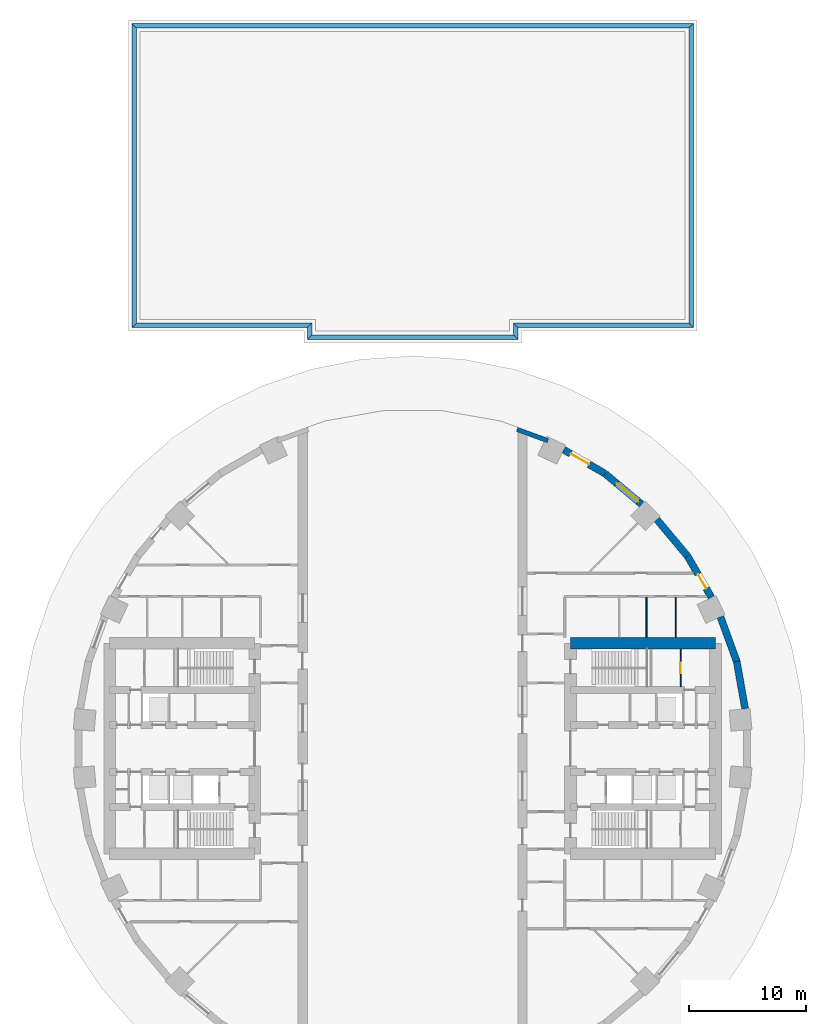
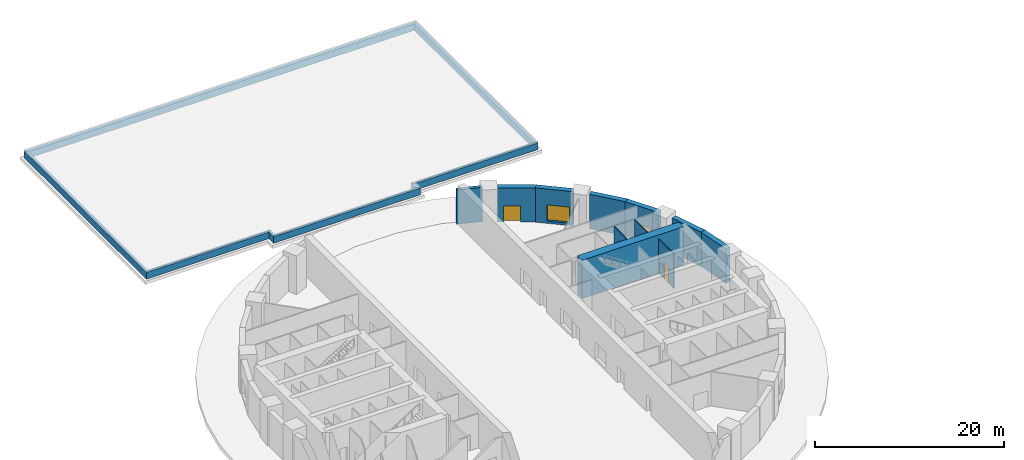
# One storey, part 7 of 10: 19 walls, 3 doors, 1 window, 4 openings.
"""IFC4 building model written with IfcOpenShell, lengths in metres."""

from ifc_helpers import new_model, si_unit, direction, frame, frame_2d, origin, place, context, subcontext, project, spatial, polyline, rectangle, outline, extrude, material, layer, layer_set, type_object, element, fill, save


model = new_model("IFC4")

# Units and contexts
model_context = context("Model", 3, precision=1e-05, world=origin(), true_north=direction((0.0, 1.0)))
body_context = subcontext(model_context, "Body", "Model", "MODEL_VIEW")
ifc_project = project(units=[si_unit("LENGTHUNIT", "METRE"), si_unit("AREAUNIT", "SQUARE_METRE"), si_unit("VOLUMEUNIT", "CUBIC_METRE"), si_unit("PLANEANGLEUNIT", "RADIAN"), si_unit("MASSUNIT", "GRAM", prefix="KILO")], contexts=[model_context])

# Site, building, storey
site_placement = place(None, origin())
site = spatial("IfcSite", under=ifc_project, at=site_placement, CompositionType="ELEMENT")
building_placement = place(site_placement, origin())
building = spatial("IfcBuilding", under=site, at=building_placement, Name="Saqina Gate Tower", CompositionType="ELEMENT")
storey_placement = place(building_placement, origin())
storey = spatial("IfcBuildingStorey", under=building, at=storey_placement, Name="L00", CompositionType="ELEMENT", Elevation=0.0)

# Wall, opening, door
ifc_material_1 = material(Name="Gypsum board on steel studs", Category="steel")
ifc_layer_1 = layer(ifc_material_1, 0.10009765625)
ifc_layer_set_1 = layer_set([ifc_layer_1], Name="CORE PARTITION")
wall_type_1 = type_object("IfcWallType", Name="CORE PARTITION", PredefinedType="PARTITIONING", material=ifc_layer_set_1)
wall_1_placement = place(storey_placement, frame((22.919921875, 5.300048828125, 0.0), z_axis=(0.0, 0.0, 1.0), x_axis=(0.0, 1.0, 0.0)))
wall_1 = element("IfcWall", 1, at=wall_1_placement, inside=storey, type_object=wall_type_1, Name="L00-CP-E12", PredefinedType="PARTITIONING", context=body_context, shape_type="SweptSolid", body=[
    extrude(rectangle(XDim=3.199951171875, YDim=0.10009765625, at=frame_2d((1.60009765625, 0.0))), origin(), (0.0, 0.0, 1.0), 4.449951171875),
])
opening_1_placement = place(wall_1_placement, frame((1.14990234375, 0.0, 0.0)))
opening_1 = element("IfcOpeningElement", 2, at=opening_1_placement, cuts=wall_1, Name="Opening L00-D97", PredefinedType="OPENING", context=body_context, shape_type="SweptSolid", body=[
    extrude(rectangle(XDim=0.89990234375, YDim=2.10009765625, at=frame_2d((0.449951171875, 1.050048828125))), frame((0.0, 0.06201171875, 0.0), z_axis=(0.0, -1.0, 0.0), x_axis=(1.0, 0.0, 0.0)), (0.0, 0.0, 1.0), 0.1240234375),
])
ifc_material_2 = material(Name="Steel-framed fire door leaf, EI 60", Category="steel")
door_type_1 = type_object("IfcDoorType", Name="SERVICE ROOM DOOR 900", OperationType="SINGLE_SWING_LEFT", PredefinedType="DOOR", material=ifc_material_2)
door_1_placement = place(opening_1_placement, origin())
door_1 = element("IfcDoor", 3, at=door_1_placement, inside=storey, type_object=door_type_1, Name="L00-CD-E08", OperationType="SINGLE_SWING_LEFT", OverallHeight=2.10009765625, OverallWidth=0.89990234375, PredefinedType="DOOR", context=body_context, shape_type="SweptSolid", body=[
    extrude(rectangle(XDim=0.89990234375, YDim=2.10009765625, at=frame_2d((0.449951171875, 1.050048828125))), frame((0.0, 0.02490234375, 0.0), z_axis=(0.0, -1.0, 0.0), x_axis=(1.0, 0.0, 0.0)), (0.0, 0.0, 1.0), 0.050048828125),
])
fill(opening_1, door_1)

# Wall
ifc_material_3 = material(Name="Glazed ceramic tile", Category="ceramic")
ifc_layer_2 = layer(ifc_material_3, 0.3798828125)
ifc_layer_set_2 = layer_set([ifc_layer_2], Name="FW-ARCH")
wall_type_2 = type_object("IfcWallType", Name="FW-ARCH", PredefinedType="SOLIDWALL", material=ifc_layer_set_2)
wall_2_placement = place(storey_placement, frame((11.640625, 26.5068359375, 0.0), z_axis=(0.342028363555, 0.939687527149, 0.001987421433), x_axis=(-0.00066157174, -0.001874177487, 0.999998024889)))
element("IfcWall", 4, at=wall_2_placement, inside=storey, type_object=wall_type_2, Name="Arch frame wall L00 facet 7", PredefinedType="SOLIDWALL", context=body_context, shape_type="SweptSolid", body=[
    extrude(outline(polyline([(0.0, 0.0), (4.449959878062576, -5.421010862427522e-19), (4.449905577463616, -2.8103487256011928), (-5.446211549906747e-05, -2.8101193092447616), (0.0, 0.0)])), origin(), (0.0, 0.0, -1.0), 0.3798828125),
])

# Wall, opening, door
ifc_material_4 = material(Name="Brick masonry (red)", Category="masonry")
ifc_layer_3 = layer(ifc_material_4, 0.60009765625)
ifc_layer_set_3 = layer_set([ifc_layer_3], Name="FW-BRICK-RED")
wall_type_3 = type_object("IfcWallType", Name="FW-BRICK-RED", PredefinedType="SOLIDWALL", material=ifc_layer_set_3)
wall_3_placement = place(storey_placement, frame((25.545166015625, 12.933837890625, 0.0), z_axis=(0.0, 0.0, 1.0), x_axis=(-0.500023678693, 0.866011732453, 0.0)))
wall_3 = element("IfcWall", 5, at=wall_3_placement, inside=storey, type_object=wall_type_3, Name="Facade wall L00 facet 3", PredefinedType="SOLIDWALL", context=body_context, shape_type="SweptSolid", body=[
    extrude(rectangle(XDim=4.069091796875, YDim=0.60009765625, at=frame_2d((2.03466796875, 0.0))), origin(), (0.0, 0.0, 1.0), 4.449951171875),
])
opening_2_placement = place(wall_3_placement, frame((0.87158203125, 0.0, 0.0)))
opening_2 = element("IfcOpeningElement", 6, at=opening_2_placement, cuts=wall_3, Name="Opening L00-D40", PredefinedType="OPENING", context=body_context, shape_type="SweptSolid", body=[
    extrude(rectangle(XDim=1.39990234375, YDim=2.10009765625, at=frame_2d((0.699951171875, 1.050048828125))), frame((0.0, 0.31201171875, 0.0), z_axis=(0.0, -1.0, 0.0), x_axis=(1.0, 0.0, 0.0)), (0.0, 0.0, 1.0), 0.6240234375),
])
ifc_material_5 = material(Name="Steel door leaf with glazed vision panel", Category="steel")
door_type_2 = type_object("IfcDoorType", Name="EXIT DOOR 1400 STEEL", OperationType="SINGLE_SWING_LEFT", PredefinedType="DOOR", material=ifc_material_5)
door_2_placement = place(opening_2_placement, frame((1.39990234375, 0.0, 0.0), z_axis=(0.0, 0.0, 1.0), x_axis=(-1.0, 0.0, 0.0)))
door_2 = element("IfcDoor", 7, at=door_2_placement, inside=storey, type_object=door_type_2, Name="Pedestrian exit 7", OperationType="SINGLE_SWING_RIGHT", OverallHeight=2.10009765625, OverallWidth=1.39990234375, PredefinedType="DOOR", context=body_context, shape_type="SweptSolid", body=[
    extrude(rectangle(XDim=1.39990234375, YDim=2.10009765625, at=frame_2d((0.699951171875, 1.050048828125))), frame((0.0, 0.02490234375, 0.0), z_axis=(0.0, -1.0, 0.0), x_axis=(1.0, 0.0, 0.0)), (0.0, 0.0, 1.0), 0.050048828125),
])
fill(opening_2, door_2)

# Wall
wall_4_placement = place(storey_placement, frame((23.50634765625, 16.4638671875, 0.0), z_axis=(0.0, 0.0, 1.0), x_axis=(-0.642800844336, 0.766033337734, 0.0)))
element("IfcWall", 8, at=wall_4_placement, inside=storey, type_object=wall_type_3, Name="Facade wall L00 facet 4", PredefinedType="SOLIDWALL", context=body_context, shape_type="SweptSolid", body=[
    extrude(rectangle(XDim=4.0693359375, YDim=0.60009765625, at=frame_2d((2.03466796875, 0.0))), origin(), (0.0, 0.0, 1.0), 4.449951171875),
])

# Wall, opening, window
wall_5_placement = place(storey_placement, frame((19.5810546875, 20.890625, 0.0), z_axis=(0.0, 0.0, 1.0), x_axis=(-0.766033337734, 0.642800844336, 0.0)))
wall_5 = element("IfcWall", 9, at=wall_5_placement, inside=storey, type_object=wall_type_3, Name="Facade wall L00 facet 5", PredefinedType="SOLIDWALL", context=body_context, shape_type="SweptSolid", body=[
    extrude(rectangle(XDim=4.0693359375, YDim=0.60009765625, at=frame_2d((2.03466796875, 0.0))), origin(), (0.0, 0.0, 1.0), 4.449951171875),
])
opening_3_placement = place(wall_5_placement, frame((0.37158203125, 0.0, 0.300048828125)))
opening_3 = element("IfcOpeningElement", 10, at=opening_3_placement, cuts=wall_5, Name="Opening L00-W56", PredefinedType="OPENING", context=body_context, shape_type="SweptSolid", body=[
    extrude(rectangle(XDim=2.39990234375, YDim=2.10009765625, at=frame_2d((1.199951171875, 1.050048828125))), frame((0.0, 0.31201171875, 0.0), z_axis=(0.0, -1.0, 0.0), x_axis=(1.0, 0.0, 0.0)), (0.0, 0.0, 1.0), 0.6240234375),
])
ifc_material_6 = material(Name="Double glazed unit in aluminium frame", Category="aluminium")
window_type = type_object("IfcWindowType", Name="SHOPFRONT WINDOW 2400", PartitioningType="SINGLE_PANEL", PredefinedType="WINDOW", material=ifc_material_6)
window_placement = place(opening_3_placement, origin())
window = element("IfcWindow", 11, at=window_placement, inside=storey, type_object=window_type, Name="Shopfront window", OverallHeight=2.10009765625, OverallWidth=2.39990234375, PartitioningType="SINGLE_PANEL", PredefinedType="WINDOW", context=body_context, shape_type="SweptSolid", body=[
    extrude(rectangle(XDim=2.39990234375, YDim=2.10009765625, at=frame_2d((1.199951171875, 1.050048828125))), frame((0.0, 0.030029296875, 0.0), z_axis=(0.0, -1.0, 0.0), x_axis=(1.0, 0.0, 0.0)), (0.0, 0.0, 1.0), 0.06005859375),
])
fill(opening_3, window)

# Wall, opening, door
wall_6_placement = place(storey_placement, frame((16.457763671875, 23.510498046875, 0.0), z_axis=(0.0, 0.0, 1.0), x_axis=(-0.866011732453, 0.500023678693, 0.0)))
wall_6 = element("IfcWall", 12, at=wall_6_placement, inside=storey, type_object=wall_type_3, Name="Facade wall L00 facet 6", PredefinedType="SOLIDWALL", context=body_context, shape_type="SweptSolid", body=[
    extrude(rectangle(XDim=4.069091796875, YDim=0.60009765625, at=frame_2d((2.03466796875, 0.0))), origin(), (0.0, 0.0, 1.0), 4.449951171875),
])
opening_4_placement = place(wall_6_placement, frame((1.597412109375, 0.0, 0.0)))
opening_4 = element("IfcOpeningElement", 13, at=opening_4_placement, cuts=wall_6, Name="Opening L00-D46", PredefinedType="OPENING", context=body_context, shape_type="SweptSolid", body=[
    extrude(rectangle(XDim=1.800048828125, YDim=2.10009765625, at=frame_2d((0.89990234375, 1.050048828125))), frame((0.0, 0.31201171875, 0.0), z_axis=(0.0, -1.0, 0.0), x_axis=(1.0, 0.0, 0.0)), (0.0, 0.0, 1.0), 0.6240234375),
])
ifc_material_7 = material(Name="Aluminium-framed glazed door leaf", Category="aluminium")
door_type_3 = type_object("IfcDoorType", Name="ENTRANCE DOOR 1800 GLAZED", OperationType="DOUBLE_DOOR_SINGLE_SWING", PredefinedType="DOOR", material=ifc_material_7)
door_3_placement = place(opening_4_placement, frame((1.800048828125, 0.0, 0.0), z_axis=(0.0, 0.0, 1.0), x_axis=(-1.0, 0.0, 0.0)))
door_3 = element("IfcDoor", 14, at=door_3_placement, inside=storey, type_object=door_type_3, Name="Shopfront entrance", OperationType="DOUBLE_DOOR_SINGLE_SWING", OverallHeight=2.10009765625, OverallWidth=1.800048828125, PredefinedType="DOOR", context=body_context, shape_type="SweptSolid", body=[
    extrude(rectangle(XDim=1.800048828125, YDim=2.10009765625, at=frame_2d((0.89990234375, 1.050048828125))), frame((0.0, 0.02490234375, 0.0), z_axis=(0.0, -1.0, 0.0), x_axis=(1.0, 0.0, 0.0)), (0.0, 0.0, 1.0), 0.050048828125),
])
fill(opening_4, door_3)

# Walls
ifc_material_8 = material(Name="Glazed ceramic tile", Category="ceramic")
ifc_layer_4 = layer(ifc_material_8, 0.60009765625)
ifc_layer_set_4 = layer_set([ifc_layer_4], Name="FW-TILE")
wall_type_4 = type_object("IfcWallType", Name="FW-TILE", PredefinedType="SOLIDWALL", material=ifc_layer_set_4)
wall_7_placement = place(storey_placement, frame((28.42822265625, 3.416748046875, 0.0), z_axis=(0.0, 0.0, 1.0), x_axis=(-0.173673210505, 0.984803338719, 0.0)))
element("IfcWall", 15, at=wall_7_placement, inside=storey, type_object=wall_type_4, Name="Facade wall L00 facet 1", PredefinedType="SOLIDWALL", context=body_context, shape_type="SweptSolid", body=[
    extrude(rectangle(XDim=4.09912109375, YDim=0.60009765625, at=frame_2d((2.049560546875, 0.0))), origin(), (0.0, 0.0, 1.0), 4.449951171875),
])
ifc_material_9 = material(Name="Glazed ceramic tile (dark blue)", Category="ceramic")
ifc_layer_5 = layer(ifc_material_9, 0.60009765625)
ifc_layer_set_5 = layer_set([ifc_layer_5], Name="FW-TILE-CB")
wall_type_5 = type_object("IfcWallType", Name="FW-TILE-CB", PredefinedType="SOLIDWALL", material=ifc_layer_set_5)
wall_8_placement = place(storey_placement, frame((27.72998046875, 7.403076171875, 0.0), z_axis=(0.0, 0.0, 1.0), x_axis=(-0.342034744565, 0.939687306241, 0.0)))
element("IfcWall", 16, at=wall_8_placement, inside=storey, type_object=wall_type_5, Name="Facade wall L00 facet 2", PredefinedType="SOLIDWALL", context=body_context, shape_type="SweptSolid", body=[
    extrude(rectangle(XDim=4.099365234375, YDim=0.60009765625, at=frame_2d((2.0498046875, 0.0))), origin(), (0.0, 0.0, 1.0), 4.449951171875),
])
ifc_material_10 = material(Name="Gypsum board on steel studs, 100 mm", Category="steel")
ifc_layer_6 = layer(ifc_material_10, 0.10009765625)
ifc_layer_set_6 = layer_set([ifc_layer_6], Name="SPECIAL PARTITION 100")
wall_type_6 = type_object("IfcWallType", Name="SPECIAL PARTITION 100", PredefinedType="PARTITIONING", material=ifc_layer_set_6)
for number, where, z_axis, x_axis, name in (
    (17, (22.509033203125, 9.5, 0.0), (0.0, 0.0, 1.0), (0.0, 1.0, 0.0), "PARTITION 022"),
    (18, (19.9970703125, 9.5, 0.0), (0.0, 0.0, 1.0), (0.0, 1.0, 0.0), "PARTITION 024"),
):
    element("IfcWall", number, at=place(storey_placement, frame(where, z_axis=z_axis, x_axis=x_axis)), inside=storey, type_object=wall_type_6, Name=name, PredefinedType="PARTITIONING", context=body_context, shape_type="SweptSolid", body=[
        extrude(rectangle(XDim=3.425048828125, YDim=0.10009765625, at=frame_2d((1.71240234375, 0.0))), origin(), (0.0, 0.0, 1.0), 4.449951171875),
    ])
ifc_material_11 = material(Name="Concrete C70/85", Category="concrete")
ifc_layer_7 = layer(ifc_material_11, 1.0)
ifc_layer_set_7 = layer_set([ifc_layer_7], Name="Concrete C70/85")
wall_type_7 = type_object("IfcWallType", Name="STR-CORE WALL-P-O", PredefinedType="SHEAR", material=ifc_layer_set_7)
wall_9_placement = place(storey_placement, frame((13.5, 9.0, 0.0), z_axis=(0.0, 0.0, 1.0), x_axis=(1.0, 0.0, 0.0)))
element("IfcWall", 19, at=wall_9_placement, inside=storey, type_object=wall_type_7, Name="CORE WALL L00 E-NE", PredefinedType="SHEAR", context=body_context, shape_type="SweptSolid", body=[
    extrude(rectangle(XDim=12.39990234375, YDim=1.0, at=frame_2d((6.199951171875, 0.0))), origin(), (0.0, 0.0, 1.0), 5.0),
])
ifc_material_12 = material(Name="Concrete C40/50", Category="concrete")
ifc_layer_8 = layer(ifc_material_12, 0.3798828125)
ifc_layer_set_8 = layer_set([ifc_layer_8], Name="Concrete C40/50")
wall_type_8 = type_object("IfcWallType", Name="STR-WALL-PLINTH", PredefinedType="SOLIDWALL", material=ifc_layer_set_8)
wall_10_placement = place(storey_placement, frame((0.0, 0.0, -1.0)))
element("IfcWall", 20, at=wall_10_placement, inside=storey, type_object=wall_type_8, Name="FORECOURT PLINTH WALL N1", PredefinedType="SOLIDWALL", context=body_context, shape_type="SweptSolid", body=[
    extrude(outline(polyline([(-9.0, 35.0), (9.0, 35.0), (8.6201171875, 35.3798828125), (-8.6201171875, 35.3798828125), (-9.0, 35.0)])), origin(), (0.0, 0.0, 1.0), 0.85009765625),
])
wall_11_placement = place(storey_placement, frame((0.0, 0.0, -1.0)))
element("IfcWall", 21, at=wall_11_placement, inside=storey, type_object=wall_type_8, Name="FORECOURT PLINTH WALL N2", PredefinedType="SOLIDWALL", context=body_context, shape_type="SweptSolid", body=[
    extrude(outline(polyline([(9.0, 35.0), (9.0, 36.0), (8.6201171875, 36.3798828125), (8.6201171875, 35.3798828125), (9.0, 35.0)])), origin(), (0.0, 0.0, 1.0), 0.85009765625),
])
wall_12_placement = place(storey_placement, frame((0.0, 0.0, -1.0)))
element("IfcWall", 22, at=wall_12_placement, inside=storey, type_object=wall_type_8, Name="FORECOURT PLINTH WALL N3", PredefinedType="SOLIDWALL", context=body_context, shape_type="SweptSolid", body=[
    extrude(outline(polyline([(9.0, 36.0), (24.0, 36.0), (23.6201171875, 36.3798828125), (8.6201171875, 36.3798828125), (9.0, 36.0)])), origin(), (0.0, 0.0, 1.0), 0.85009765625),
])
wall_13_placement = place(storey_placement, frame((0.0, 0.0, -1.0)))
element("IfcWall", 23, at=wall_13_placement, inside=storey, type_object=wall_type_8, Name="FORECOURT PLINTH WALL N4", PredefinedType="SOLIDWALL", context=body_context, shape_type="SweptSolid", body=[
    extrude(outline(polyline([(24.0, 36.0), (24.0, 62.0), (23.6201171875, 61.6201171875), (23.6201171875, 36.3798828125), (24.0, 36.0)])), origin(), (0.0, 0.0, 1.0), 0.85009765625),
])
wall_14_placement = place(storey_placement, frame((0.0, 0.0, -1.0)))
element("IfcWall", 24, at=wall_14_placement, inside=storey, type_object=wall_type_8, Name="FORECOURT PLINTH WALL N5", PredefinedType="SOLIDWALL", context=body_context, shape_type="SweptSolid", body=[
    extrude(outline(polyline([(24.0, 62.0), (-24.0, 62.0), (-23.6201171875, 61.6201171875), (23.6201171875, 61.6201171875), (24.0, 62.0)])), origin(), (0.0, 0.0, 1.0), 0.85009765625),
])
wall_15_placement = place(storey_placement, frame((0.0, 0.0, -1.0)))
element("IfcWall", 25, at=wall_15_placement, inside=storey, type_object=wall_type_8, Name="FORECOURT PLINTH WALL N6", PredefinedType="SOLIDWALL", context=body_context, shape_type="SweptSolid", body=[
    extrude(outline(polyline([(-24.0, 62.0), (-24.0, 36.0), (-23.6201171875, 36.3798828125), (-23.6201171875, 61.6201171875), (-24.0, 62.0)])), origin(), (0.0, 0.0, 1.0), 0.85009765625),
])
wall_16_placement = place(storey_placement, frame((0.0, 0.0, -1.0)))
element("IfcWall", 26, at=wall_16_placement, inside=storey, type_object=wall_type_8, Name="FORECOURT PLINTH WALL N7", PredefinedType="SOLIDWALL", context=body_context, shape_type="SweptSolid", body=[
    extrude(outline(polyline([(-24.0, 36.0), (-9.0, 36.0), (-8.6201171875, 36.3798828125), (-23.6201171875, 36.3798828125), (-24.0, 36.0)])), origin(), (0.0, 0.0, 1.0), 0.85009765625),
])
wall_17_placement = place(storey_placement, frame((0.0, 0.0, -1.0)))
element("IfcWall", 27, at=wall_17_placement, inside=storey, type_object=wall_type_8, Name="FORECOURT PLINTH WALL N8", PredefinedType="SOLIDWALL", context=body_context, shape_type="SweptSolid", body=[
    extrude(outline(polyline([(-9.0, 36.0), (-9.0, 35.0), (-8.6201171875, 35.3798828125), (-8.6201171875, 36.3798828125), (-9.0, 36.0)])), origin(), (0.0, 0.0, 1.0), 0.85009765625),
])

save(model, "model.ifc")
